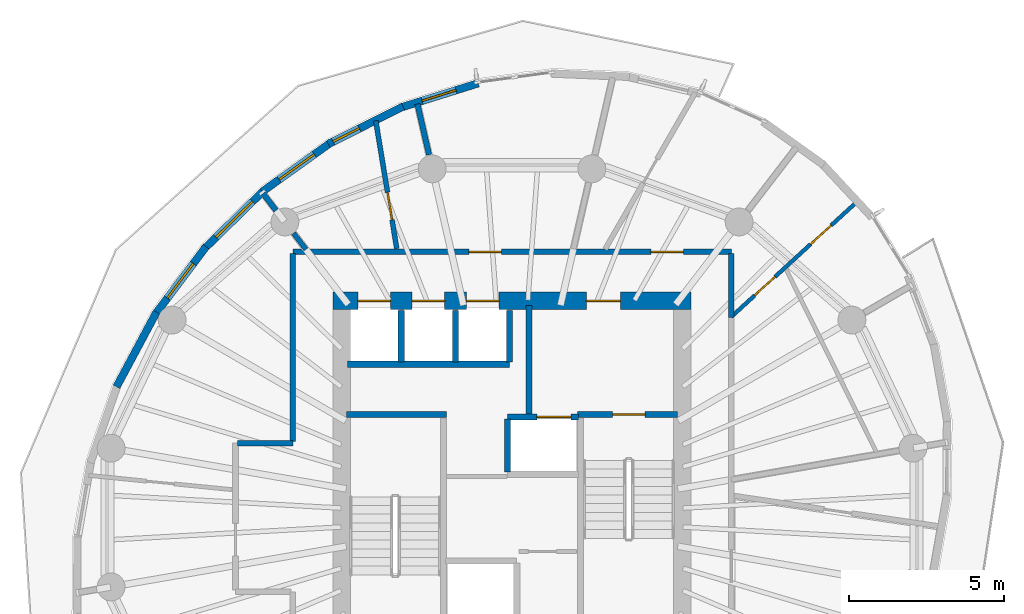
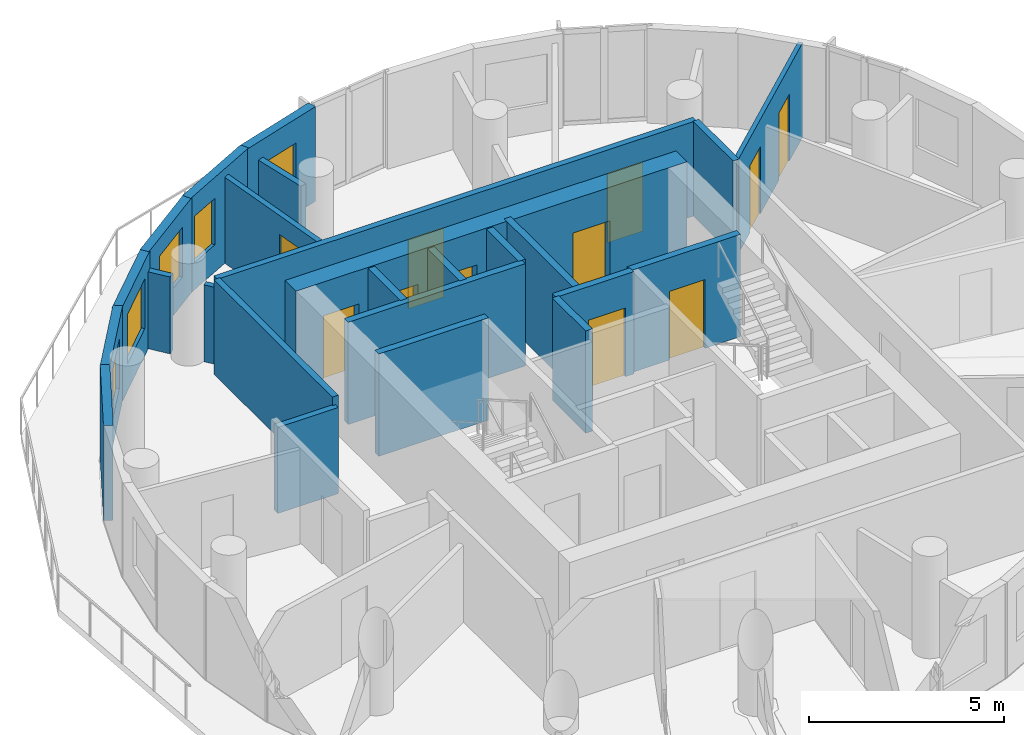
# One storey, part 6 of 10: 25 walls, 12 doors, 4 windows, 16 openings.
"""IFC4 building model written with IfcOpenShell, lengths in metres."""

from ifc_helpers import new_model, si_unit, direction, frame, frame_2d, origin, place, context, subcontext, project, spatial, rectangle, extrude, material, layer, layer_set, type_object, element, fill, save


model = new_model("IFC4")

# Units and contexts
model_context = context("Model", 3, precision=1e-05, world=origin(), true_north=direction((0.0, 1.0)))
body_context = subcontext(model_context, "Body", "Model", "MODEL_VIEW")
ifc_project = project(units=[si_unit("LENGTHUNIT", "METRE"), si_unit("AREAUNIT", "SQUARE_METRE"), si_unit("VOLUMEUNIT", "CUBIC_METRE"), si_unit("PLANEANGLEUNIT", "RADIAN"), si_unit("MASSUNIT", "GRAM", prefix="KILO")], contexts=[model_context])

# Site, building, storey
site_placement = place(None, origin())
site = spatial("IfcSite", under=ifc_project, at=site_placement, CompositionType="ELEMENT")
building_placement = place(site_placement, origin())
building = spatial("IfcBuilding", under=site, at=building_placement, Name="Veldorim Arch Residences", CompositionType="ELEMENT")
storey_placement = place(building_placement, frame((0.0, 0.0, 201.43994140625)))
storey = spatial("IfcBuildingStorey", under=building, at=storey_placement, Name="L60", CompositionType="ELEMENT", Elevation=201.43994140625)

# Wall, openings, doors
ifc_material_1 = material(Name="Acoustic Gypsum Board", Category="gypsum")
ifc_layer_1 = layer(ifc_material_1, 0.125, Name="Acoustic Stud Room Partition Wall 125")
ifc_layer_set_1 = layer_set([ifc_layer_1], Name="Acoustic Gypsum Board")
wall_type_1 = type_object("IfcWallType", Name="Acoustic Stud Room Partition Wall 125", PredefinedType="PARTITIONING", material=ifc_layer_set_1)
wall_1_placement = place(storey_placement, frame((43.140380859375, 34.198486328125, 0.0), z_axis=(0.0, 0.0, 1.0), x_axis=(-0.737575567473, -0.675264601668, 0.0)))
wall_1 = element("IfcWall", 1, at=wall_1_placement, inside=storey, type_object=wall_type_1, Name="L60 interior wall WL-RES-L60-019", PredefinedType="PARTITIONING", context=body_context, shape_type="SweptSolid", body=[
    extrude(rectangle(XDim=5.5048828125, YDim=0.125, at=frame_2d((2.75244140625, 0.0))), origin(), (0.0, 0.0, 1.0), 2.955078125),
])
opening_1_placement = place(wall_1_placement, frame((1.13330078125, 0.0, 0.0)))
opening_1 = element("IfcOpeningElement", 2, at=opening_1_placement, cuts=wall_1, Name="Opening DR-INT", PredefinedType="OPENING", context=body_context, shape_type="SweptSolid", body=[
    extrude(rectangle(XDim=0.89990234375, YDim=2.10009765625, at=frame_2d((0.449951171875, 1.050048828125))), frame((0.0, 0.072509765625, 0.0), z_axis=(0.0, -1.0, 0.0), x_axis=(1.0, 0.0, 0.0)), (0.0, 0.0, 1.0), 0.14501953125),
])
opening_2_placement = place(wall_1_placement, frame((3.58544921875, 0.0, 0.0)))
opening_2 = element("IfcOpeningElement", 3, at=opening_2_placement, cuts=wall_1, Name="Opening DR-INT", PredefinedType="OPENING", context=body_context, shape_type="SweptSolid", body=[
    extrude(rectangle(XDim=0.89990234375, YDim=2.10009765625, at=frame_2d((0.449951171875, 1.050048828125))), frame((0.0, 0.072509765625, 0.0), z_axis=(0.0, -1.0, 0.0), x_axis=(1.0, 0.0, 0.0)), (0.0, 0.0, 1.0), 0.14501953125),
])
ifc_material_2 = material(Name="Engineered Timber", Category="wood")
door_type_1 = type_object("IfcDoorType", Name="Apartment Internal Room Timber Door 900x2100", OperationType="SINGLE_SWING_LEFT", PredefinedType="DOOR", material=ifc_material_2)
door_1_placement = place(opening_1_placement, origin())
door_1 = element("IfcDoor", 4, at=door_1_placement, inside=storey, type_object=door_type_1, Name="L60 interior door DR-RES-L60-009", OperationType="SINGLE_SWING_LEFT", OverallHeight=2.10009765625, OverallWidth=0.89990234375, PredefinedType="DOOR", context=body_context, shape_type="SweptSolid", body=[
    extrude(rectangle(XDim=0.89990234375, YDim=2.10009765625, at=frame_2d((0.449951171875, 1.050048828125))), frame((0.0, 0.02490234375, 0.0), z_axis=(0.0, -1.0, 0.0), x_axis=(1.0, 0.0, 0.0)), (0.0, 0.0, 1.0), 0.050048828125),
])
fill(opening_1, door_1)
door_2_placement = place(opening_2_placement, origin())
door_2 = element("IfcDoor", 5, at=door_2_placement, inside=storey, type_object=door_type_1, Name="L60 interior door DR-RES-L60-010", OperationType="SINGLE_SWING_RIGHT", OverallHeight=2.10009765625, OverallWidth=0.89990234375, PredefinedType="DOOR", context=body_context, shape_type="SweptSolid", body=[
    extrude(rectangle(XDim=0.89990234375, YDim=2.10009765625, at=frame_2d((0.449951171875, 1.050048828125))), frame((0.0, 0.02490234375, 0.0), z_axis=(0.0, -1.0, 0.0), x_axis=(1.0, 0.0, 0.0)), (0.0, 0.0, 1.0), 0.050048828125),
])
fill(opening_2, door_2)

# Walls
ifc_material_3 = material(Name="Lightweight Masonry Block & Gypsum", Category="masonry")
ifc_layer_2 = layer(ifc_material_3, 0.179931640625, Name="Compartment & Corridor Fire-Rated Party Wall 180")
ifc_layer_set_2 = layer_set([ifc_layer_2], Name="Lightweight Masonry Block & Gypsum")
wall_type_2 = type_object("IfcWallType", Name="Compartment & Corridor Fire-Rated Party Wall 180", PredefinedType="PARTITIONING", material=ifc_layer_set_2)
wall_2_placement = place(storey_placement, frame((29.320068359375, 35.717529296875, 0.0), z_axis=(0.0, 0.0, 1.0), x_axis=(-0.222978827263, 0.97482328788, 0.0)))
element("IfcWall", 6, at=wall_2_placement, inside=storey, type_object=wall_type_2, Name="L60 interior wall WL-PIER-L60-05", PredefinedType="PARTITIONING", context=body_context, shape_type="SweptSolid", body=[
    extrude(rectangle(XDim=1.678466796875, YDim=0.179931640625, at=frame_2d((0.83935546875, 0.0))), origin(), (0.0, 0.0, 1.0), 2.403564453125),
])
wall_3_placement = place(storey_placement, frame((24.380126953125, 33.91796875, 0.0), z_axis=(0.0, 0.0, 1.0), x_axis=(-0.60904199592, 0.793137974885, 0.0)))
element("IfcWall", 7, at=wall_3_placement, inside=storey, type_object=wall_type_2, Name="L60 interior wall WL-PIER-L60-06", PredefinedType="PARTITIONING", context=body_context, shape_type="SweptSolid", body=[
    extrude(rectangle(XDim=0.688232421875, YDim=0.179931640625, at=frame_2d((0.34423828125, 0.0))), origin(), (0.0, 0.0, 1.0), 2.403564453125),
])

# Wall, openings, doors
wall_4_placement = place(storey_placement, frame((24.919921875, 32.580078125, 0.0), z_axis=(0.0, 0.0, 1.0), x_axis=(1.0, 0.0, 0.0)))
wall_4 = element("IfcWall", 8, at=wall_4_placement, inside=storey, type_object=wall_type_2, Name="L60 interior wall WL-RES-L60-004", PredefinedType="PARTITIONING", context=body_context, shape_type="SweptSolid", body=[
    extrude(rectangle(XDim=14.16015625, YDim=0.179931640625, at=frame_2d((7.080078125, 0.0))), origin(), (0.0, 0.0, 1.0), 2.955078125),
])
opening_3_placement = place(wall_4_placement, frame((11.562744140625, 0.0, 0.0)))
opening_3 = element("IfcOpeningElement", 9, at=opening_3_placement, cuts=wall_4, Name="Opening DR-FLT", PredefinedType="OPENING", context=body_context, shape_type="SweptSolid", body=[
    extrude(rectangle(XDim=1.050048828125, YDim=2.14990234375, at=frame_2d((0.52490234375, 1.074951171875))), frame((0.0, 0.099853515625, 0.0), z_axis=(0.0, -1.0, 0.0), x_axis=(1.0, 0.0, 0.0)), (0.0, 0.0, 1.0), 0.199951171875),
])
opening_4_placement = place(wall_4_placement, frame((5.684326171875, 0.0, 0.0)))
opening_4 = element("IfcOpeningElement", 10, at=opening_4_placement, cuts=wall_4, Name="Opening DR-FLT", PredefinedType="OPENING", context=body_context, shape_type="SweptSolid", body=[
    extrude(rectangle(XDim=1.050048828125, YDim=2.14990234375, at=frame_2d((0.52490234375, 1.074951171875))), frame((0.0, 0.099853515625, 0.0), z_axis=(0.0, -1.0, 0.0), x_axis=(1.0, 0.0, 0.0)), (0.0, 0.0, 1.0), 0.199951171875),
])
ifc_material_4 = material(Name="Fire-Rated Timber", Category="wood")
door_type_2 = type_object("IfcDoorType", Name="Apartment Entrance Solid-Core Fire Door 1050x2150", OperationType="SINGLE_SWING_LEFT", PredefinedType="DOOR", material=ifc_material_4)
door_3_placement = place(opening_3_placement, origin())
door_3 = element("IfcDoor", 11, at=door_3_placement, inside=storey, type_object=door_type_2, Name="L60 interior door DR-RES-L60-007", OperationType="SINGLE_SWING_LEFT", OverallHeight=2.14990234375, OverallWidth=1.050048828125, PredefinedType="DOOR", context=body_context, shape_type="SweptSolid", body=[
    extrude(rectangle(XDim=1.050048828125, YDim=2.14990234375, at=frame_2d((0.52490234375, 1.074951171875))), frame((0.0, 0.02490234375, 0.0), z_axis=(0.0, -1.0, 0.0), x_axis=(1.0, 0.0, 0.0)), (0.0, 0.0, 1.0), 0.050048828125),
])
fill(opening_3, door_3)
door_4_placement = place(opening_4_placement, origin())
door_4 = element("IfcDoor", 12, at=door_4_placement, inside=storey, type_object=door_type_2, Name="L60 interior door DR-RES-L60-011", OperationType="SINGLE_SWING_LEFT", OverallHeight=2.14990234375, OverallWidth=1.050048828125, PredefinedType="DOOR", context=body_context, shape_type="SweptSolid", body=[
    extrude(rectangle(XDim=1.050048828125, YDim=2.14990234375, at=frame_2d((0.52490234375, 1.074951171875))), frame((0.0, 0.02490234375, 0.0), z_axis=(0.0, -1.0, 0.0), x_axis=(1.0, 0.0, 0.0)), (0.0, 0.0, 1.0), 0.050048828125),
])
fill(opening_4, door_4)

# Walls
wall_5_placement = place(storey_placement, frame((39.080078125, 32.52001953125, 0.0), z_axis=(0.0, 0.0, 1.0), x_axis=(0.0, -1.0, 0.0)))
element("IfcWall", 13, at=wall_5_placement, inside=storey, type_object=wall_type_2, Name="L60 interior wall WL-RES-L60-005", PredefinedType="PARTITIONING", context=body_context, shape_type="SweptSolid", body=[
    extrude(rectangle(XDim=2.058837890625, YDim=0.179931640625, at=frame_2d((1.029296875, 0.0))), origin(), (0.0, 0.0, 1.0), 2.955078125),
])
wall_6_placement = place(storey_placement, frame((23.1298828125, 26.39990234375, 0.0), z_axis=(0.0, 0.0, 1.0), x_axis=(1.0, 0.0, 0.0)))
element("IfcWall", 14, at=wall_6_placement, inside=storey, type_object=wall_type_2, Name="L60 interior wall WL-RES-L60-009", PredefinedType="PARTITIONING", context=body_context, shape_type="SweptSolid", body=[
    extrude(rectangle(XDim=1.7900390625, YDim=0.179931640625, at=frame_2d((0.89501953125, 0.0))), origin(), (0.0, 0.0, 1.0), 2.692138671875),
])
wall_7_placement = place(storey_placement, frame((24.919921875, 26.4599609375, 0.0), z_axis=(0.0, 0.0, 1.0), x_axis=(0.0, 1.0, 0.0)))
element("IfcWall", 15, at=wall_7_placement, inside=storey, type_object=wall_type_2, Name="L60 interior wall WL-RES-L60-010", PredefinedType="PARTITIONING", context=body_context, shape_type="SweptSolid", body=[
    extrude(rectangle(XDim=6.06005859375, YDim=0.179931640625, at=frame_2d((3.030029296875, 0.0))), origin(), (0.0, 0.0, 1.0), 2.955078125),
])
ifc_material_5 = material(Name="Concrete C50/60", Category="concrete")
ifc_layer_3 = layer(ifc_material_5, 0.199951171875, Name="Core Stair & Lift Shaft Enclosure Wall 200")
ifc_layer_set_3 = layer_set([ifc_layer_3], Name="Concrete C50/60")
wall_type_3 = type_object("IfcWallType", Name="Core Stair & Lift Shaft Enclosure Wall 200", PredefinedType="SHEAR", material=ifc_layer_set_3)
wall_8_placement = place(storey_placement, frame((26.64990234375, 27.330078125, 0.0), z_axis=(0.0, 0.0, 1.0), x_axis=(1.0, 0.0, 0.0)))
element("IfcWall", 16, at=wall_8_placement, inside=storey, type_object=wall_type_3, Name="L60 shaft wall WL-SHF-L60-ST1-N", PredefinedType="SHEAR", context=body_context, shape_type="SweptSolid", body=[
    extrude(rectangle(XDim=3.239990234375, YDim=0.199951171875, at=frame_2d((1.6201171875, 0.0))), origin(), (0.0, 0.0, 1.0), 3.199951171875),
])

# Wall, opening, door
wall_9_placement = place(storey_placement, frame((34.110107421875, 27.330078125, 0.0), z_axis=(0.0, 0.0, 1.0), x_axis=(1.0, 0.0, 0.0)))
wall_9 = element("IfcWall", 17, at=wall_9_placement, inside=storey, type_object=wall_type_3, Name="L60 shaft wall WL-SHF-L60-ST2-N", PredefinedType="SHEAR", context=body_context, shape_type="SweptSolid", body=[
    extrude(rectangle(XDim=3.239990234375, YDim=0.199951171875, at=frame_2d((1.6201171875, 0.0))), origin(), (0.0, 0.0, 1.0), 3.199951171875),
])
opening_5_placement = place(wall_9_placement, frame((1.135009765625, 0.0, 0.0)))
opening_5 = element("IfcOpeningElement", 18, at=opening_5_placement, cuts=wall_9, Name="Opening DR-ST", PredefinedType="OPENING", context=body_context, shape_type="SweptSolid", body=[
    extrude(rectangle(XDim=1.050048828125, YDim=2.14990234375, at=frame_2d((0.52490234375, 1.074951171875))), frame((0.0, 0.10986328125, 0.0), z_axis=(0.0, -1.0, 0.0), x_axis=(1.0, 0.0, 0.0)), (0.0, 0.0, 1.0), 0.219970703125),
])
ifc_material_6 = material(Name="Fire-Rated Steel", Category="steel")
door_type_3 = type_object("IfcDoorType", Name="Exit Staircase Self-Closing Fire Door 1050x2150", OperationType="SINGLE_SWING_LEFT", PredefinedType="DOOR", material=ifc_material_6)
door_5_placement = place(opening_5_placement, origin())
door_5 = element("IfcDoor", 19, at=door_5_placement, inside=storey, type_object=door_type_3, Name="L60 interior door DR-L60-ST2", OperationType="SINGLE_SWING_RIGHT", OverallHeight=2.14990234375, OverallWidth=1.050048828125, PredefinedType="DOOR", context=body_context, shape_type="SweptSolid", body=[
    extrude(rectangle(XDim=1.050048828125, YDim=2.14990234375, at=frame_2d((0.52490234375, 1.074951171875))), frame((0.0, 0.02490234375, 0.0), z_axis=(0.0, -1.0, 0.0), x_axis=(1.0, 0.0, 0.0)), (0.0, 0.0, 1.0), 0.050048828125),
])
fill(opening_5, door_5)

# Wall
wall_10_placement = place(storey_placement, frame((32.550048828125, 27.35009765625, 0.0), z_axis=(0.0, 0.0, 1.0), x_axis=(0.0, 1.0, 0.0)))
element("IfcWall", 20, at=wall_10_placement, inside=storey, type_object=wall_type_3, Name="L60 shaft wall WL-FFL2-L60-W", PredefinedType="SHEAR", context=body_context, shape_type="SweptSolid", body=[
    extrude(rectangle(XDim=3.5, YDim=0.199951171875, at=frame_2d((1.75, 0.0))), origin(), (0.0, 0.0, 1.0), 3.199951171875),
])

# Wall, opening, door
wall_11_placement = place(storey_placement, frame((31.85009765625, 27.25, 0.0), z_axis=(0.0, 0.0, 1.0), x_axis=(1.0, 0.0, 0.0)))
wall_11 = element("IfcWall", 21, at=wall_11_placement, inside=storey, type_object=wall_type_3, Name="L60 shaft wall WL-FL02-L60-N", PredefinedType="SHEAR", context=body_context, shape_type="SweptSolid", body=[
    extrude(rectangle(XDim=2.2998046875, YDim=0.199951171875, at=frame_2d((1.14990234375, 0.0))), origin(), (0.0, 0.0, 1.0), 3.199951171875),
])
opening_6_placement = place(wall_11_placement, frame((0.949951171875, 0.0, 0.0)))
opening_6 = element("IfcOpeningElement", 22, at=opening_6_placement, cuts=wall_11, Name="Opening LD-FF", PredefinedType="OPENING", context=body_context, shape_type="SweptSolid", body=[
    extrude(rectangle(XDim=1.10009765625, YDim=2.14990234375, at=frame_2d((0.550048828125, 1.074951171875))), frame((0.0, 0.10986328125, 0.0), z_axis=(0.0, -1.0, 0.0), x_axis=(1.0, 0.0, 0.0)), (0.0, 0.0, 1.0), 0.219970703125),
])
ifc_material_7 = material(Name="Stainless Steel", Category="steel")
door_type_4 = type_object("IfcDoorType", Name="Firefighting Lift Bi-Parting Sliding Landing Door 1100x2150", OperationType="DOUBLE_DOOR_SLIDING", PredefinedType="DOOR", material=ifc_material_7)
door_6_placement = place(opening_6_placement, origin())
door_6 = element("IfcDoor", 23, at=door_6_placement, inside=storey, type_object=door_type_4, Name="L60 lift landing door LD-L60-FL02", OperationType="DOUBLE_DOOR_SLIDING", OverallHeight=2.14990234375, OverallWidth=1.10009765625, PredefinedType="DOOR", context=body_context, shape_type="SweptSolid", body=[
    extrude(rectangle(XDim=1.10009765625, YDim=2.14990234375, at=frame_2d((0.550048828125, 1.074951171875))), frame((0.0, 0.02490234375, 0.0), z_axis=(0.0, -1.0, 0.0), x_axis=(1.0, 0.0, 0.0)), (0.0, 0.0, 1.0), 0.050048828125),
])
fill(opening_6, door_6)

# Walls
wall_12_placement = place(storey_placement, frame((31.85009765625, 25.469970703125, 0.0), z_axis=(0.0, 0.0, 1.0), x_axis=(0.0, 1.0, 0.0)))
element("IfcWall", 24, at=wall_12_placement, inside=storey, type_object=wall_type_3, Name="L60 shaft wall WL-FL02-L60-W", PredefinedType="SHEAR", context=body_context, shape_type="SweptSolid", body=[
    extrude(rectangle(XDim=1.7099609375, YDim=0.199951171875, at=frame_2d((0.85498046875, 0.0))), origin(), (0.0, 0.0, 1.0), 3.199951171875),
])
wall_13_placement = place(storey_placement, frame((26.679931640625, 28.949951171875, 0.0), z_axis=(0.0, 0.0, 1.0), x_axis=(1.0, 0.0, 0.0)))
element("IfcWall", 25, at=wall_13_placement, inside=storey, type_object=wall_type_3, Name="L60 shaft wall WL-B3-L60-S", PredefinedType="SHEAR", context=body_context, shape_type="SweptSolid", body=[
    extrude(rectangle(XDim=5.239990234375, YDim=0.199951171875, at=frame_2d((2.6201171875, 0.0))), origin(), (0.0, 0.0, 1.0), 3.199951171875),
])
for number, where, z_axis, x_axis, name in (
    (26, (31.919921875, 29.02001953125, 0.0), (0.0, 0.0, 1.0), (0.0, 1.0, 0.0), "L60 shaft wall WL-B3-L60-E"),
    (27, (28.425048828125, 29.02001953125, 0.0), (0.0, 0.0, 1.0), (0.0, 1.0, 0.0), "L60 shaft wall WL-B3-L60-D1"),
    (28, (30.175048828125, 29.02001953125, 0.0), (0.0, 0.0, 1.0), (0.0, 1.0, 0.0), "L60 shaft wall WL-B3-L60-D2"),
):
    element("IfcWall", number, at=place(storey_placement, frame(where, z_axis=z_axis, x_axis=x_axis)), inside=storey, type_object=wall_type_3, Name=name, PredefinedType="SHEAR", context=body_context, shape_type="SweptSolid", body=[
        extrude(rectangle(XDim=1.659912109375, YDim=0.199951171875, at=frame_2d((0.830078125, 0.0))), origin(), (0.0, 0.0, 1.0), 3.199951171875),
    ])

# Wall, opening, door
ifc_material_8 = material(Name="Precast concrete C40/50", Category="concrete")
ifc_layer_4 = layer(ifc_material_8, 0.25, Name="Tower Terracotta Spandrel & Pier Wall 250")
ifc_layer_set_4 = layer_set([ifc_layer_4], Name="Precast concrete C40/50")
wall_type_4 = type_object("IfcWallType", Name="Tower Terracotta Spandrel & Pier Wall 250", PredefinedType="SOLIDWALL", material=ifc_layer_set_4)
wall_14_placement = place(storey_placement, frame((28.379150390625, 37.234130859375, 0.0), z_axis=(0.0, 0.0, 1.0), x_axis=(0.954307768746, 0.298825505122, 0.0)))
wall_14 = element("IfcWall", 29, at=wall_14_placement, inside=storey, type_object=wall_type_4, Name="L60 terracotta facade wall 06", PredefinedType="SOLIDWALL", context=body_context, shape_type="SweptSolid", body=[
    extrude(rectangle(XDim=2.651123046875, YDim=0.25, at=frame_2d((1.32568359375, 0.0))), origin(), (0.0, 0.0, 1.0), 2.9599609375),
])
opening_7_placement = place(wall_14_placement, frame((0.7509765625, 0.0, 0.0)))
opening_7 = element("IfcOpeningElement", 30, at=opening_7_placement, cuts=wall_14, Name="Opening BL-DR", PredefinedType="OPENING", context=body_context, shape_type="SweptSolid", body=[
    extrude(rectangle(XDim=1.14990234375, YDim=2.199951171875, at=frame_2d((0.574951171875, 1.10009765625))), frame((0.0, 0.135009765625, 0.0), z_axis=(0.0, -1.0, 0.0), x_axis=(1.0, 0.0, 0.0)), (0.0, 0.0, 1.0), 0.27001953125),
])
ifc_material_9 = material(Name="Aluminium & Low-E Glass", Category="aluminium")
door_type_5 = type_object("IfcDoorType", Name="Glazed Planted Balcony Door 1150x2200", OperationType="SINGLE_SWING_LEFT", PredefinedType="DOOR", material=ifc_material_9)
door_7_placement = place(opening_7_placement, origin())
door_7 = element("IfcDoor", 31, at=door_7_placement, inside=storey, type_object=door_type_5, Name="L60 glazed outdoor terrace door BALC-1", OperationType="SINGLE_SWING_RIGHT", OverallHeight=2.199951171875, OverallWidth=1.14990234375, PredefinedType="DOOR", context=body_context, shape_type="SweptSolid", body=[
    extrude(rectangle(XDim=1.14990234375, YDim=2.199951171875, at=frame_2d((0.574951171875, 1.10009765625))), frame((0.0, 0.02490234375, 0.0), z_axis=(0.0, -1.0, 0.0), x_axis=(1.0, 0.0, 0.0)), (0.0, 0.0, 1.0), 0.050048828125),
])
fill(opening_7, door_7)

# Wall, opening, window
wall_15_placement = place(storey_placement, frame((26.06640625, 36.0634765625, 0.0), z_axis=(0.0, 0.0, 1.0), x_axis=(0.893757522153, 0.448550433724, 0.0)))
wall_15 = element("IfcWall", 32, at=wall_15_placement, inside=storey, type_object=wall_type_4, Name="L60 terracotta facade wall 07", PredefinedType="SOLIDWALL", context=body_context, shape_type="SweptSolid", body=[
    extrude(rectangle(XDim=2.701904296875, YDim=0.25, at=frame_2d((1.35107421875, 0.0))), origin(), (0.0, 0.0, 1.0), 2.9599609375),
])
opening_8_placement = place(wall_15_placement, frame((0.175048828125, 0.0, 0.85009765625)))
opening_8 = element("IfcOpeningElement", 33, at=opening_8_placement, cuts=wall_15, Name="Opening WN-05", PredefinedType="OPENING", context=body_context, shape_type="SweptSolid", body=[
    extrude(rectangle(XDim=0.949951171875, YDim=1.449951171875, at=frame_2d((0.47509765625, 0.72509765625))), frame((0.0, 0.135009765625, 0.0), z_axis=(0.0, -1.0, 0.0), x_axis=(1.0, 0.0, 0.0)), (0.0, 0.0, 1.0), 0.27001953125),
])
ifc_material_10 = material(Name="Laminated Low-E Glass", Category="glass")
window_type_1 = type_object("IfcWindowType", Name="Residential Compact Casement Window 950x1450", PartitioningType="SINGLE_PANEL", PredefinedType="WINDOW", material=ifc_material_10)
window_1_placement = place(opening_8_placement, origin())
window_1 = element("IfcWindow", 34, at=window_1_placement, inside=storey, type_object=window_type_1, Name="L60 solar-control facade window 07", OverallHeight=1.449951171875, OverallWidth=0.949951171875, PartitioningType="SINGLE_PANEL", PredefinedType="WINDOW", context=body_context, shape_type="SweptSolid", body=[
    extrude(rectangle(XDim=0.949951171875, YDim=1.449951171875, at=frame_2d((0.47509765625, 0.72509765625))), frame((0.0, 0.030029296875, 0.0), z_axis=(0.0, -1.0, 0.0), x_axis=(1.0, 0.0, 0.0)), (0.0, 0.0, 1.0), 0.06005859375),
])
fill(opening_8, window_1)

wall_16_placement = place(storey_placement, frame((23.93359375, 34.525634765625, 0.0), z_axis=(0.0, 0.0, 1.0), x_axis=(0.812997900305, 0.58226661771, 0.0)))
wall_16 = element("IfcWall", 35, at=wall_16_placement, inside=storey, type_object=wall_type_4, Name="L60 terracotta facade wall 08", PredefinedType="SOLIDWALL", context=body_context, shape_type="SweptSolid", body=[
    extrude(rectangle(XDim=2.738525390625, YDim=0.25, at=frame_2d((1.369140625, 0.0))), origin(), (0.0, 0.0, 1.0), 2.9599609375),
])
opening_9_placement = place(wall_16_placement, frame((0.6689453125, 0.0, 0.85009765625)))
opening_9 = element("IfcOpeningElement", 36, at=opening_9_placement, cuts=wall_16, Name="Opening WN-02", PredefinedType="OPENING", context=body_context, shape_type="SweptSolid", body=[
    extrude(rectangle(XDim=1.39990234375, YDim=1.550048828125, at=frame_2d((0.699951171875, 0.77490234375))), frame((0.0, 0.135009765625, 0.0), z_axis=(0.0, -1.0, 0.0), x_axis=(1.0, 0.0, 0.0)), (0.0, 0.0, 1.0), 0.27001953125),
])
ifc_material_11 = material(Name="Laminated Low-E Glass", Category="glass")
window_type_2 = type_object("IfcWindowType", Name="Residential Casement Window 1400x1550", PartitioningType="SINGLE_PANEL", PredefinedType="WINDOW", material=ifc_material_11)
window_2_placement = place(opening_9_placement, origin())
window_2 = element("IfcWindow", 37, at=window_2_placement, inside=storey, type_object=window_type_2, Name="L60 solar-control facade window 08", OverallHeight=1.550048828125, OverallWidth=1.39990234375, PartitioningType="SINGLE_PANEL", PredefinedType="WINDOW", context=body_context, shape_type="SweptSolid", body=[
    extrude(rectangle(XDim=1.39990234375, YDim=1.550048828125, at=frame_2d((0.699951171875, 0.77490234375))), frame((0.0, 0.030029296875, 0.0), z_axis=(0.0, -1.0, 0.0), x_axis=(1.0, 0.0, 0.0)), (0.0, 0.0, 1.0), 0.06005859375),
])
fill(opening_9, window_2)

wall_17_placement = place(storey_placement, frame((22.04541015625, 32.6669921875, 0.0), z_axis=(0.0, 0.0, 1.0), x_axis=(0.71485422762, 0.699273503898, 0.0)))
wall_17 = element("IfcWall", 38, at=wall_17_placement, inside=storey, type_object=wall_type_4, Name="L60 terracotta facade wall 09", PredefinedType="SOLIDWALL", context=body_context, shape_type="SweptSolid", body=[
    extrude(rectangle(XDim=2.7578125, YDim=0.25, at=frame_2d((1.37890625, 0.0))), origin(), (0.0, 0.0, 1.0), 2.9599609375),
])
opening_10_placement = place(wall_17_placement, frame((0.553955078125, 0.0, 0.85009765625)))
opening_10 = element("IfcOpeningElement", 39, at=opening_10_placement, cuts=wall_17, Name="Opening WN-03", PredefinedType="OPENING", context=body_context, shape_type="SweptSolid", body=[
    extrude(rectangle(XDim=1.64990234375, YDim=1.550048828125, at=frame_2d((0.824951171875, 0.77490234375))), frame((0.0, 0.135009765625, 0.0), z_axis=(0.0, -1.0, 0.0), x_axis=(1.0, 0.0, 0.0)), (0.0, 0.0, 1.0), 0.27001953125),
])
ifc_material_12 = material(Name="Laminated Low-E Glass", Category="glass")
window_type_3 = type_object("IfcWindowType", Name="Residential Wide Window 1650x1550", PartitioningType="SINGLE_PANEL", PredefinedType="WINDOW", material=ifc_material_12)
window_3_placement = place(opening_10_placement, origin())
window_3 = element("IfcWindow", 40, at=window_3_placement, inside=storey, type_object=window_type_3, Name="L60 solar-control facade window 09", OverallHeight=1.550048828125, OverallWidth=1.64990234375, PartitioningType="SINGLE_PANEL", PredefinedType="WINDOW", context=body_context, shape_type="SweptSolid", body=[
    extrude(rectangle(XDim=1.64990234375, YDim=1.550048828125, at=frame_2d((0.824951171875, 0.77490234375))), frame((0.0, 0.030029296875, 0.0), z_axis=(0.0, -1.0, 0.0), x_axis=(1.0, 0.0, 0.0)), (0.0, 0.0, 1.0), 0.06005859375),
])
fill(opening_10, window_3)

wall_18_placement = place(storey_placement, frame((20.4599609375, 30.5439453125, 0.0), z_axis=(0.0, 0.0, 1.0), x_axis=(0.600877762795, 0.799340924874, 0.0)))
wall_18 = element("IfcWall", 41, at=wall_18_placement, inside=storey, type_object=wall_type_4, Name="L60 terracotta facade wall 10", PredefinedType="SOLIDWALL", context=body_context, shape_type="SweptSolid", body=[
    extrude(rectangle(XDim=2.758056640625, YDim=0.25, at=frame_2d((1.37890625, 0.0))), origin(), (0.0, 0.0, 1.0), 2.9599609375),
])
opening_11_placement = place(wall_18_placement, frame((0.678955078125, 0.0, 0.85009765625)))
opening_11 = element("IfcOpeningElement", 42, at=opening_11_placement, cuts=wall_18, Name="Opening WN-02", PredefinedType="OPENING", context=body_context, shape_type="SweptSolid", body=[
    extrude(rectangle(XDim=1.39990234375, YDim=1.550048828125, at=frame_2d((0.699951171875, 0.77490234375))), frame((0.0, 0.135009765625, 0.0), z_axis=(0.0, -1.0, 0.0), x_axis=(1.0, 0.0, 0.0)), (0.0, 0.0, 1.0), 0.27001953125),
])
window_4_placement = place(opening_11_placement, origin())
window_4 = element("IfcWindow", 43, at=window_4_placement, inside=storey, type_object=window_type_2, Name="L60 solar-control facade window 10", OverallHeight=1.550048828125, OverallWidth=1.39990234375, PartitioningType="SINGLE_PANEL", PredefinedType="WINDOW", context=body_context, shape_type="SweptSolid", body=[
    extrude(rectangle(XDim=1.39990234375, YDim=1.550048828125, at=frame_2d((0.699951171875, 0.77490234375))), frame((0.0, 0.030029296875, 0.0), z_axis=(0.0, -1.0, 0.0), x_axis=(1.0, 0.0, 0.0)), (0.0, 0.0, 1.0), 0.06005859375),
])
fill(opening_11, window_4)

# Wall
wall_19_placement = place(storey_placement, frame((19.225830078125, 28.221435546875, 0.0), z_axis=(0.0, 0.0, 1.0), x_axis=(0.472035862223, 0.88157934684, 0.0)))
element("IfcWall", 44, at=wall_19_placement, inside=storey, type_object=wall_type_4, Name="L60 terracotta facade wall 11", PredefinedType="SOLIDWALL", context=body_context, shape_type="SweptSolid", body=[
    extrude(rectangle(XDim=2.738525390625, YDim=0.25, at=frame_2d((1.369140625, 0.0))), origin(), (0.0, 0.0, 1.0), 2.9599609375),
])

# Wall, openings, doors
ifc_material_13 = material(Name="Concrete C50/60", Category="concrete")
ifc_layer_5 = layer(ifc_material_13, 0.5, Name="Upper Central Core Shear Wall 560")
ifc_layer_set_5 = layer_set([ifc_layer_5], Name="Concrete C50/60")
wall_type_5 = type_object("IfcWallType", Name="Upper Central Core Shear Wall 560", PredefinedType="SHEAR", material=ifc_layer_set_5)
wall_20_placement = place(storey_placement, frame((26.219970703125, 31.0, 0.0), z_axis=(0.0, 0.0, 1.0), x_axis=(1.0, 0.0, 0.0)))
wall_20 = element("IfcWall", 45, at=wall_20_placement, inside=storey, type_object=wall_type_5, Name="L60 central core north shear wall", PredefinedType="SHEAR", context=body_context, shape_type="SweptSolid", body=[
    extrude(rectangle(XDim=11.56005859375, YDim=0.56005859375, at=frame_2d((5.780029296875, 0.0))), origin(), (0.0, 0.0, 1.0), 3.199951171875),
])
opening_12_placement = place(wall_20_placement, frame((8.179931640625, 0.0, 0.0)))
opening_12 = element("IfcOpeningElement", 46, at=opening_12_placement, cuts=wall_20, Name="Opening DR-FFL", PredefinedType="OPENING", context=body_context, shape_type="SweptSolid", body=[
    extrude(rectangle(XDim=1.10009765625, YDim=2.14990234375, at=frame_2d((0.550048828125, 1.074951171875))), frame((0.0, 0.2900390625, 0.0), z_axis=(0.0, -1.0, 0.0), x_axis=(1.0, 0.0, 0.0)), (0.0, 0.0, 1.0), 0.580078125),
])
opening_13_placement = place(wall_20_placement, frame((0.804931640625, 0.0, 0.0)))
opening_13 = element("IfcOpeningElement", 47, at=opening_13_placement, cuts=wall_20, Name="Opening LD-PS", PredefinedType="OPENING", context=body_context, shape_type="SweptSolid", body=[
    extrude(rectangle(XDim=1.050048828125, YDim=2.14990234375, at=frame_2d((0.52490234375, 1.074951171875))), frame((0.0, 0.2900390625, 0.0), z_axis=(0.0, -1.0, 0.0), x_axis=(1.0, 0.0, 0.0)), (0.0, 0.0, 1.0), 0.580078125),
])
opening_14_placement = place(wall_20_placement, frame((2.554931640625, 0.0, 0.0)))
opening_14 = element("IfcOpeningElement", 48, at=opening_14_placement, cuts=wall_20, Name="Opening LD-PS", PredefinedType="OPENING", context=body_context, shape_type="SweptSolid", body=[
    extrude(rectangle(XDim=1.050048828125, YDim=2.14990234375, at=frame_2d((0.52490234375, 1.074951171875))), frame((0.0, 0.2900390625, 0.0), z_axis=(0.0, -1.0, 0.0), x_axis=(1.0, 0.0, 0.0)), (0.0, 0.0, 1.0), 0.580078125),
])
opening_15_placement = place(wall_20_placement, frame((4.304931640625, 0.0, 0.0)))
opening_15 = element("IfcOpeningElement", 49, at=opening_15_placement, cuts=wall_20, Name="Opening LD-PS", PredefinedType="OPENING", context=body_context, shape_type="SweptSolid", body=[
    extrude(rectangle(XDim=1.050048828125, YDim=2.14990234375, at=frame_2d((0.52490234375, 1.074951171875))), frame((0.0, 0.2900390625, 0.0), z_axis=(0.0, -1.0, 0.0), x_axis=(1.0, 0.0, 0.0)), (0.0, 0.0, 1.0), 0.580078125),
])
ifc_material_14 = material(Name="Fire-Rated Steel & Vision Glass", Category="steel")
door_type_6 = type_object("IfcDoorType", Name="Firefighting Lobby Smoke-Stop Fire Door 1100x2150", OperationType="SINGLE_SWING_LEFT", PredefinedType="DOOR", material=ifc_material_14)
door_8_placement = place(opening_12_placement, origin())
door_8 = element("IfcDoor", 50, at=door_8_placement, inside=storey, type_object=door_type_6, Name="L60 interior door DR-L60-FFL2", OperationType="SINGLE_SWING_LEFT", OverallHeight=2.14990234375, OverallWidth=1.10009765625, PredefinedType="DOOR", context=body_context, shape_type="SweptSolid", body=[
    extrude(rectangle(XDim=1.10009765625, YDim=2.14990234375, at=frame_2d((0.550048828125, 1.074951171875))), frame((0.0, 0.02490234375, 0.0), z_axis=(0.0, -1.0, 0.0), x_axis=(1.0, 0.0, 0.0)), (0.0, 0.0, 1.0), 0.050048828125),
])
fill(opening_12, door_8)
ifc_material_15 = material(Name="Stainless Steel", Category="steel")
door_type_7 = type_object("IfcDoorType", Name="Passenger Lift Bi-Parting Sliding Landing Door 1050x2150", OperationType="DOUBLE_DOOR_SLIDING", PredefinedType="DOOR", material=ifc_material_15)
door_9_placement = place(opening_13_placement, origin())
door_9 = element("IfcDoor", 51, at=door_9_placement, inside=storey, type_object=door_type_7, Name="L60 lift landing door LD-L60-PL-08", OperationType="DOUBLE_DOOR_SLIDING", OverallHeight=2.14990234375, OverallWidth=1.050048828125, PredefinedType="DOOR", context=body_context, shape_type="SweptSolid", body=[
    extrude(rectangle(XDim=1.050048828125, YDim=2.14990234375, at=frame_2d((0.52490234375, 1.074951171875))), frame((0.0, 0.02490234375, 0.0), z_axis=(0.0, -1.0, 0.0), x_axis=(1.0, 0.0, 0.0)), (0.0, 0.0, 1.0), 0.050048828125),
])
fill(opening_13, door_9)
door_10_placement = place(opening_14_placement, origin())
door_10 = element("IfcDoor", 52, at=door_10_placement, inside=storey, type_object=door_type_7, Name="L60 lift landing door LD-L60-PL-09", OperationType="DOUBLE_DOOR_SLIDING", OverallHeight=2.14990234375, OverallWidth=1.050048828125, PredefinedType="DOOR", context=body_context, shape_type="SweptSolid", body=[
    extrude(rectangle(XDim=1.050048828125, YDim=2.14990234375, at=frame_2d((0.52490234375, 1.074951171875))), frame((0.0, 0.02490234375, 0.0), z_axis=(0.0, -1.0, 0.0), x_axis=(1.0, 0.0, 0.0)), (0.0, 0.0, 1.0), 0.050048828125),
])
fill(opening_14, door_10)
door_11_placement = place(opening_15_placement, origin())
door_11 = element("IfcDoor", 53, at=door_11_placement, inside=storey, type_object=door_type_7, Name="L60 lift landing door LD-L60-PL-10", OperationType="DOUBLE_DOOR_SLIDING", OverallHeight=2.14990234375, OverallWidth=1.050048828125, PredefinedType="DOOR", context=body_context, shape_type="SweptSolid", body=[
    extrude(rectangle(XDim=1.050048828125, YDim=2.14990234375, at=frame_2d((0.52490234375, 1.074951171875))), frame((0.0, 0.02490234375, 0.0), z_axis=(0.0, -1.0, 0.0), x_axis=(1.0, 0.0, 0.0)), (0.0, 0.0, 1.0), 0.050048828125),
])
fill(opening_15, door_11)

# Wall, opening, door
ifc_material_16 = material(Name="Moisture-Resistant Gypsum & Stud", Category="gypsum")
ifc_layer_6 = layer(ifc_material_16, 0.159912109375, Name="Wet-Area Moisture-Resistant Plumbing Wall 160")
ifc_layer_set_6 = layer_set([ifc_layer_6], Name="Moisture-Resistant Gypsum & Stud")
wall_type_6 = type_object("IfcWallType", Name="Wet-Area Moisture-Resistant Plumbing Wall 160", PredefinedType="PLUMBINGWALL", material=ifc_layer_set_6)
wall_21_placement = place(storey_placement, frame((28.27978515625, 32.6787109375, 0.0), z_axis=(0.0, 0.0, 1.0), x_axis=(-0.162160778545, 0.986764349732, 0.0)))
wall_21 = element("IfcWall", 54, at=wall_21_placement, inside=storey, type_object=wall_type_6, Name="L60 interior wall WL-RES-L60-022", PredefinedType="PLUMBINGWALL", context=body_context, shape_type="SweptSolid", body=[
    extrude(rectangle(XDim=4.19287109375, YDim=0.159912109375, at=frame_2d((2.096435546875, 0.0))), origin(), (0.0, 0.0, 1.0), 2.692138671875),
])
opening_16_placement = place(wall_21_placement, frame((0.946533203125, 0.0, 0.0)))
opening_16 = element("IfcOpeningElement", 55, at=opening_16_placement, cuts=wall_21, Name="Opening DR-WC", PredefinedType="OPENING", context=body_context, shape_type="SweptSolid", body=[
    extrude(rectangle(XDim=0.89990234375, YDim=2.10009765625, at=frame_2d((0.449951171875, 1.050048828125))), frame((0.0, 0.08984375, 0.0), z_axis=(0.0, -1.0, 0.0), x_axis=(1.0, 0.0, 0.0)), (0.0, 0.0, 1.0), 0.179931640625),
])
ifc_material_17 = material(Name="Laminate Timber", Category="wood")
door_type_8 = type_object("IfcDoorType", Name="Bathroom & Accessible WC Moisture-Sealed Door 900x2100", OperationType="SINGLE_SWING_LEFT", PredefinedType="DOOR", material=ifc_material_17)
door_12_placement = place(opening_16_placement, origin())
door_12 = element("IfcDoor", 56, at=door_12_placement, inside=storey, type_object=door_type_8, Name="L60 interior door DR-RES-L60-012", OperationType="SINGLE_SWING_RIGHT", OverallHeight=2.10009765625, OverallWidth=0.89990234375, PredefinedType="DOOR", context=body_context, shape_type="SweptSolid", body=[
    extrude(rectangle(XDim=0.89990234375, YDim=2.10009765625, at=frame_2d((0.449951171875, 1.050048828125))), frame((0.0, 0.02490234375, 0.0), z_axis=(0.0, -1.0, 0.0), x_axis=(1.0, 0.0, 0.0)), (0.0, 0.0, 1.0), 0.050048828125),
])
fill(opening_16, door_12)

# Wall
wall_22_placement = place(storey_placement, frame((25.34716796875, 32.6591796875, 0.0), z_axis=(0.0, 0.0, 1.0), x_axis=(-0.609101063055, 0.79309261438, 0.0)))
element("IfcWall", 57, at=wall_22_placement, inside=storey, type_object=wall_type_6, Name="L60 interior wall WL-RES-L60-023", PredefinedType="PLUMBINGWALL", context=body_context, shape_type="SweptSolid", body=[
    extrude(rectangle(XDim=0.658203125, YDim=0.159912109375, at=frame_2d((0.3291015625, 0.0))), origin(), (0.0, 0.0, 1.0), 2.403564453125),
])

save(model, "model.ifc")
